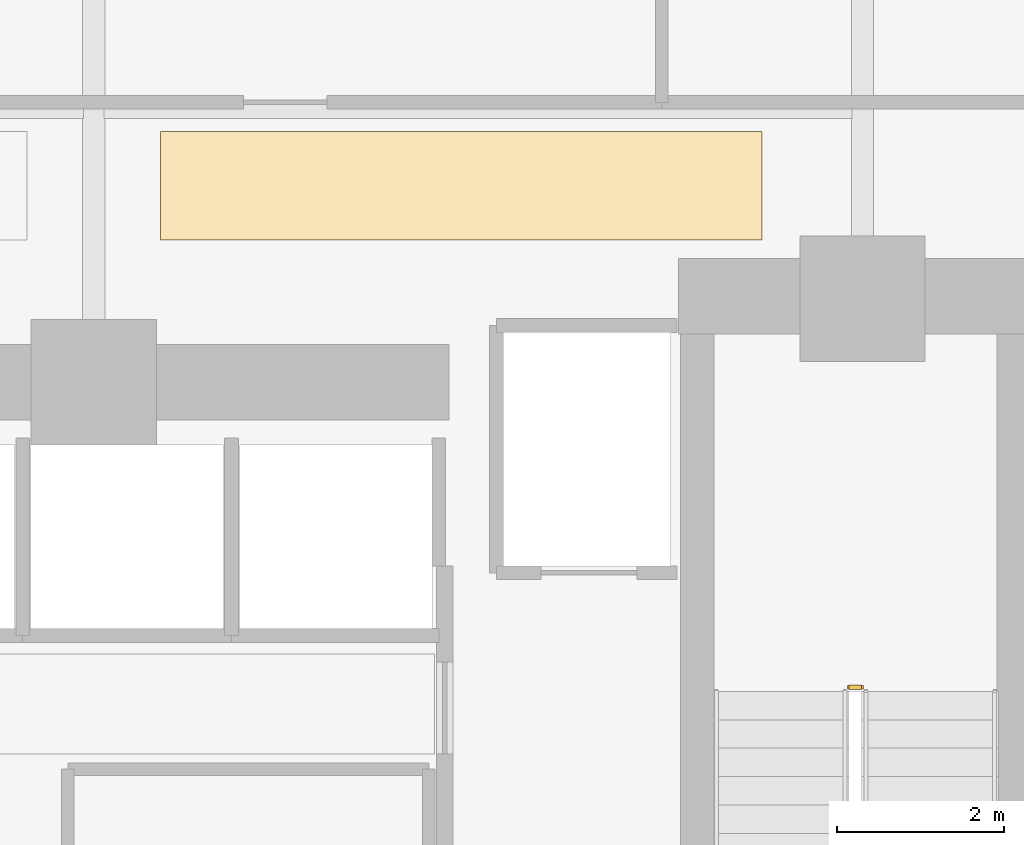
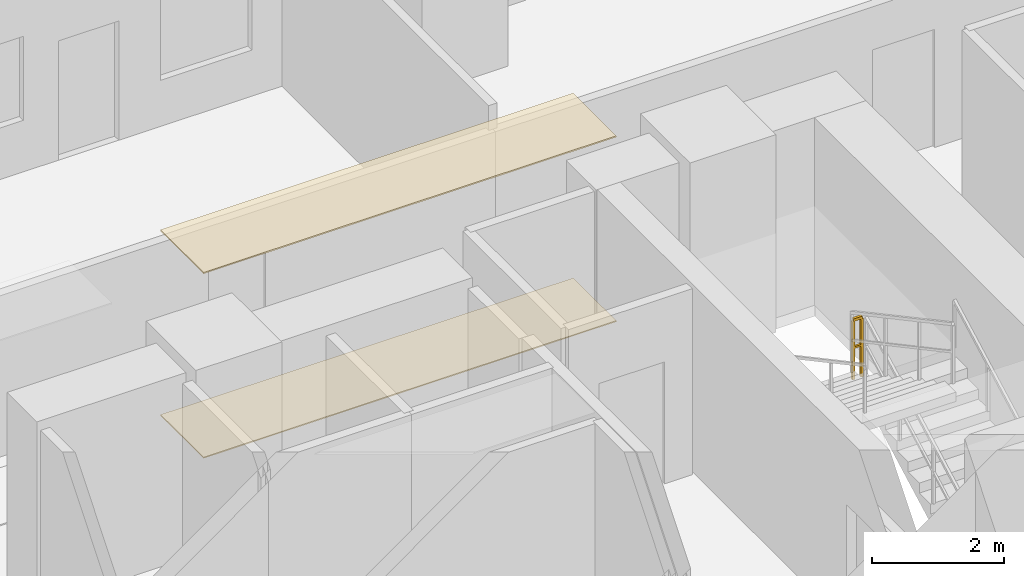
# One storey, part 27 of 28: 2 coverings, 1 railing.
"""IFC4 building model written with IfcOpenShell, lengths in metres."""

import ifcopenshell
import ifcopenshell.guid

model = None  # the IFC model being written
_history = None  # IfcOwnerHistory: only IFC2X3 demands one
_inside = {}  # id of a spatial element -> (the spatial element, [elements in it])
_under = {}  # id of a project, library or spatial element -> (it, [spatial elements below it])
_declared = {}  # id of a project -> (the project, [libraries it declares])
_typed = {}  # id of a type object -> (the type object, [elements of that type])
_made_of = {}  # id of a material, layer set ... -> (it, [elements and type objects made of it])


def new_model(schema):
    """Start an empty IFC model of exactly this schema.

    Asked for "IFC4X3", IfcOpenShell would pick the latest addendum, in which some entities
    have other attributes; the version numbers below select the first issue.
    IFC2X3 requires an IfcOwnerHistory on every rooted entity: one is made here for all.
    """
    global model, _history
    if schema == "IFC4X3":
        model = ifcopenshell.file(schema_version=(4, 3, 0, 0))
    else:
        model = ifcopenshell.file(schema=schema)
    _inside.clear()
    _under.clear()
    _declared.clear()
    _typed.clear()
    _made_of.clear()
    _history = None
    if model.schema == "IFC2X3":
        org = make("IfcOrganization", Name="unknown")
        user = make(
            "IfcPersonAndOrganization",
            ThePerson=make("IfcPerson", FamilyName="unknown"),
            TheOrganization=org,
        )
        app = make(
            "IfcApplication",
            ApplicationDeveloper=org,
            Version="unknown",
            ApplicationFullName="unknown",
            ApplicationIdentifier="unknown",
        )
        _history = make(
            "IfcOwnerHistory",
            OwningUser=user,
            OwningApplication=app,
            ChangeAction="ADDED",
            CreationDate=0,
        )
    return model


def make(cls, **values):
    """One entity of the class cls with the attributes given. An attribute that is None is left unset."""
    return model.create_entity(
        cls, **{name: value for name, value in values.items() if value is not None}
    )


def rooted(cls, **values):
    """An entity with a GlobalId (a new one), such as an element, a storey or a relation."""
    return make(cls, GlobalId=ifcopenshell.guid.new(), OwnerHistory=_history, **values)


def si_unit(unit_type, name, prefix=None):
    """IfcSIUnit, for example si_unit("LENGTHUNIT", "METRE", prefix="MILLI")."""
    return make("IfcSIUnit", UnitType=unit_type, Prefix=prefix, Name=name)


def assignment(units):
    """IfcUnitAssignment: the units of a project."""
    return None if units is None else make("IfcUnitAssignment", Units=units)


def point(xyz):
    """IfcCartesianPoint."""
    return None if xyz is None else make("IfcCartesianPoint", Coordinates=xyz)


def direction(xyz):
    """IfcDirection."""
    return None if xyz is None else make("IfcDirection", DirectionRatios=xyz)


def frame(location, z_axis=None, x_axis=None):
    """IfcAxis2Placement3D, a coordinate frame: its origin and axes. An axis left out is left unset."""
    return make(
        "IfcAxis2Placement3D",
        Location=point(location),
        Axis=direction(z_axis),
        RefDirection=direction(x_axis),
    )


def frame_2d(location, x_axis=None):
    """IfcAxis2Placement2D, a coordinate frame in the plane: its origin and x axis."""
    return make(
        "IfcAxis2Placement2D", Location=point(location), RefDirection=direction(x_axis)
    )


def origin():
    """The frame at (0, 0, 0) with its axes left unset."""
    return frame((0.0, 0.0, 0.0))


def origin_2d():
    """The frame at (0, 0) in the plane with its x axis left unset."""
    return frame_2d((0.0, 0.0))


def place(relative_to, where):
    """IfcLocalPlacement: puts the frame where relative to a parent placement (None: the world)."""
    return make(
        "IfcLocalPlacement", PlacementRelTo=relative_to, RelativePlacement=where
    )


def context(
    kind, dimensions, precision=None, world=None, true_north=None, identifier=None
):
    """IfcGeometricRepresentationContext, for example the 3D "Model" context."""
    return make(
        "IfcGeometricRepresentationContext",
        ContextIdentifier=identifier,
        ContextType=kind,
        CoordinateSpaceDimension=dimensions,
        Precision=precision,
        WorldCoordinateSystem=world,
        TrueNorth=true_north,
    )


def subcontext(parent, identifier, kind, view, scale=None):
    """IfcGeometricRepresentationSubContext, for example "Body" below "Model"."""
    return make(
        "IfcGeometricRepresentationSubContext",
        ContextIdentifier=identifier,
        ContextType=kind,
        ParentContext=parent,
        TargetScale=scale,
        TargetView=view,
    )


def project(units=None, contexts=None):
    """IfcProject with its units and contexts."""
    return rooted(
        "IfcProject",
        Name="project",
        RepresentationContexts=contexts,
        UnitsInContext=assignment(units),
    )


def spatial(cls, under=None, at=None, **own):
    """A site, building, storey or space (cls), placed at a placement, below another one or the project."""
    s = rooted(cls, ObjectPlacement=at, **own)
    if under is not None:
        _under.setdefault(under.id(), (under, []))[1].append(s)
    return s


def polyline(points):
    """IfcPolyline through the points."""
    return make("IfcPolyline", Points=[point(p) for p in points])


def profile(cls, at=None, kind="AREA", **sizes):
    """A parametric profile (cls). Its sizes go by their IFC names, for example OverallWidth=200.0."""
    return make(cls, ProfileType=kind, Position=at, **sizes)


def rectangle(**sizes):
    """IfcRectangleProfileDef."""
    return profile("IfcRectangleProfileDef", **sizes)


def outline(outer, holes=None, kind="AREA"):
    """IfcArbitraryClosedProfileDef: a profile drawn as a closed curve; with holes, ...WithVoids."""
    if holes is None:
        return make("IfcArbitraryClosedProfileDef", ProfileType=kind, OuterCurve=outer)
    return make(
        "IfcArbitraryProfileDefWithVoids",
        ProfileType=kind,
        OuterCurve=outer,
        InnerCurves=holes,
    )


def extrude(swept, where, along, depth):
    """IfcExtrudedAreaSolid: the profile swept, set in the frame where, extruded along a direction by depth."""
    return make(
        "IfcExtrudedAreaSolid",
        SweptArea=swept,
        Position=where,
        ExtrudedDirection=direction(along),
        Depth=depth,
    )


def shape(context_of_items, identifier, shape_type, items):
    """IfcShapeRepresentation: the items that make up one representation, for example the "Body"."""
    return make(
        "IfcShapeRepresentation",
        ContextOfItems=context_of_items,
        RepresentationIdentifier=identifier,
        RepresentationType=shape_type,
        Items=items,
    )


def material(Name=None, Category=None):
    """IfcMaterial."""
    return make("IfcMaterial", Name=Name, Category=Category)


def layer(
    of_material, thickness, ventilated=None, Name=None, Category=None, Priority=None
):
    """IfcMaterialLayer: one layer of a wall or slab, of a material (None: an air gap)."""
    return make(
        "IfcMaterialLayer",
        Material=of_material,
        LayerThickness=thickness,
        IsVentilated=ventilated,
        Name=Name,
        Category=Category,
        Priority=Priority,
    )


def layer_set(layers, Name=None):
    """IfcMaterialLayerSet."""
    return make("IfcMaterialLayerSet", MaterialLayers=layers, LayerSetName=Name)


def made_of(thing, what):
    """Note that an element or type object is made of a material, layer set ...; save() writes the relation."""
    if what is not None:
        _made_of.setdefault(what.id(), (what, []))[1].append(thing)
    return thing


def type_object(cls, material=None, **own):
    """A type object (cls), such as IfcWallType, which elements share."""
    return made_of(rooted(cls, **own), material)


def element(
    cls,
    number,
    at=None,
    inside=None,
    cuts=None,
    type_object=None,
    material=None,
    context=None,
    identifier="Body",
    shape_type=None,
    held_by="IfcProductDefinitionShape",
    body=None,
    shapes=None,
    **own,
):
    """One element of the class cls, such as IfcWall. Its Tag is "e" and its number.

    at: its placement. inside: the storey or other place that contains it. cuts: it is an
    opening in that element (IfcRelVoidsElement). A single representation is given by context,
    identifier, shape_type and body (its items); several are given by shapes. held_by: the class
    of the entity that holds the representations. save() writes the other relations.
    """
    e = rooted(cls, Tag="e%d" % number, ObjectPlacement=at, **own)
    if body is not None:
        shapes = [shape(context, identifier, shape_type, body)]
    if shapes is not None:
        e.Representation = make(held_by, Representations=shapes)
    if inside is not None:
        _inside.setdefault(inside.id(), (inside, []))[1].append(e)
    if cuts is not None:
        rooted(
            "IfcRelVoidsElement", RelatingBuildingElement=cuts, RelatedOpeningElement=e
        )
    if type_object is not None:
        _typed.setdefault(type_object.id(), (type_object, []))[1].append(e)
    return made_of(e, material)


def aggregate(whole, parts):
    """IfcRelAggregates: a whole, such as a stair, and the parts it consists of."""
    return rooted("IfcRelAggregates", RelatingObject=whole, RelatedObjects=parts)


def save(model, path):
    """Write the relations noted so far, then the file.

    IfcRelAggregates (storeys below a building ...), IfcRelContainedInSpatialStructure (elements
    in a storey), IfcRelDefinesByType, IfcRelAssociatesMaterial and IfcRelDeclares: one each for
    every whole, place, type object, material and project.
    """
    for whole, parts in _under.values():
        aggregate(whole, parts)
    for where, things in _inside.values():
        rooted(
            "IfcRelContainedInSpatialStructure",
            RelatedElements=things,
            RelatingStructure=where,
        )
    for kind, things in _typed.values():
        rooted("IfcRelDefinesByType", RelatedObjects=things, RelatingType=kind)
    for what, things in _made_of.values():
        rooted("IfcRelAssociatesMaterial", RelatedObjects=things, RelatingMaterial=what)
    for by, libraries in _declared.values():
        rooted("IfcRelDeclares", RelatingContext=by, RelatedDefinitions=libraries)
    model.write(path)


model = new_model("IFC4")

# Units and contexts
model_context = context("Model", 3, precision=1e-05, world=origin(), true_north=direction((0.0, 1.0)))
body_context = subcontext(model_context, "Body", "Model", "MODEL_VIEW")
ifc_project = project(units=[si_unit("LENGTHUNIT", "METRE"), si_unit("AREAUNIT", "SQUARE_METRE"), si_unit("VOLUMEUNIT", "CUBIC_METRE"), si_unit("PLANEANGLEUNIT", "RADIAN"), si_unit("MASSUNIT", "GRAM", prefix="KILO")], contexts=[model_context])

# Site, building, storey
site_placement = place(None, origin())
site = spatial("IfcSite", under=ifc_project, at=site_placement, CompositionType="ELEMENT")
building_placement = place(site_placement, origin())
building = spatial("IfcBuilding", under=site, at=building_placement, Name="Zuhayl Quay Hotel", CompositionType="ELEMENT")
storey_placement = place(building_placement, frame((0.0, 0.0, 71.39990234375)))
storey = spatial("IfcBuildingStorey", under=building, at=storey_placement, Name="L17", CompositionType="ELEMENT", Elevation=71.39990234375)

# Coverings
ifc_material_1 = material(Name="Acoustic Mineral-Fibre Gypsum Board")
ifc_layer_1 = layer(ifc_material_1, 0.02490234375, Name="Acoustic Mineral-Fibre Gypsum Board")
ifc_layer_set_1 = layer_set([ifc_layer_1], Name="Acoustic Mineral-Fibre Gypsum Board")
covering_type_1 = type_object("IfcCoveringType", Name="CV_CEIL_ACOUSTIC", PredefinedType="CEILING", material=ifc_layer_set_1)
covering_1_placement = place(storey_placement, frame((0.0, 0.0, 3.405029296875)))
element("IfcCovering", 1, at=covering_1_placement, inside=storey, type_object=covering_type_1, Name="L17 Guest Corridor Acoustic Ceiling CE", PredefinedType="CEILING", context=body_context, shape_type="SweptSolid", body=[
    extrude(outline(polyline([(5.39990234375, 15.050048828125), (12.60009765625, 15.050048828125), (12.60009765625, 16.35009765625), (5.39990234375, 16.35009765625), (5.39990234375, 15.050048828125)])), origin(), (0.0, 0.0, 1.0), 0.025146484375),
])
ifc_material_2 = material(Name="Polished Limestone Terrazzo", Category="masonry")
ifc_layer_2 = layer(ifc_material_2, 0.02001953125, Name="Polished Limestone Terrazzo", Category="masonry")
ifc_layer_set_2 = layer_set([ifc_layer_2], Name="Polished Limestone Terrazzo")
covering_type_2 = type_object("IfcCoveringType", Name="CV_FLOOR_TERRAZZO", PredefinedType="FLOORING", material=ifc_layer_set_2)
covering_2_placement = place(storey_placement, origin())
element("IfcCovering", 2, at=covering_2_placement, inside=storey, type_object=covering_type_2, Name="L17 Guest Corridor Terrazzo Runner CE", PredefinedType="FLOORING", context=body_context, shape_type="SweptSolid", body=[
    extrude(outline(polyline([(5.39990234375, 15.050048828125), (12.60009765625, 15.050048828125), (12.60009765625, 16.35009765625), (5.39990234375, 16.35009765625), (5.39990234375, 15.050048828125)])), origin(), (0.0, 0.0, 1.0), 0.02001953125),
])

# Railing
ifc_material_3 = material(Name="Steel ASTM A992 Grade 50", Category="steel")
railing_type = type_object("IfcRailingType", Name="RL_GUARD_1100", PredefinedType="GUARDRAIL", material=ifc_material_3)
railing_placement = place(storey_placement, frame((13.7900390625, 9.699951171875, 1.8251953125)))
element("IfcRailing", 3, at=railing_placement, inside=storey, type_object=railing_type, Name="L17 ST2 stair guard 2", PredefinedType="GUARDRAIL", context=body_context, shape_type="SweptSolid", body=[
    extrude(rectangle(XDim=0.048095703125, YDim=0.048095703125, at=origin_2d()), frame((0.0, 0.0, 1.09619140625), z_axis=(-1.0, 0.0, 0.0), x_axis=(0.0, -1.0, 0.0)), (0.0, 0.0, 1.0), 0.150146484375),
    extrude(rectangle(XDim=0.0361328125, YDim=0.0361328125, at=origin_2d()), frame((0.0, 0.0, 0.58251953125), z_axis=(-1.0, 0.0, 0.0), x_axis=(0.0, -1.0, 0.0)), (0.0, 0.0, 1.0), 0.150146484375),
    extrude(rectangle(XDim=0.0419921875, YDim=0.0419921875, at=origin_2d()), origin(), (0.0, 0.0, 1.0), 1.072021484375),
    extrude(rectangle(XDim=0.0419921875, YDim=0.0419921875, at=origin_2d()), frame((-0.150146484375, 0.0, 0.0)), (0.0, 0.0, 1.0), 1.072021484375),
])

save(model, "model.ifc")
